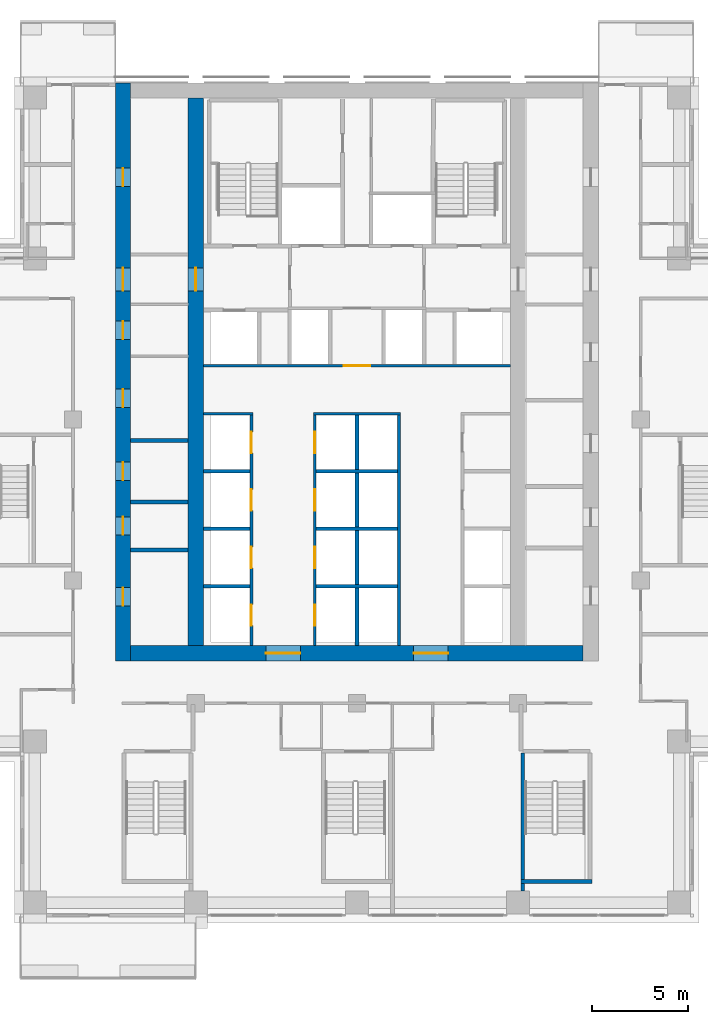
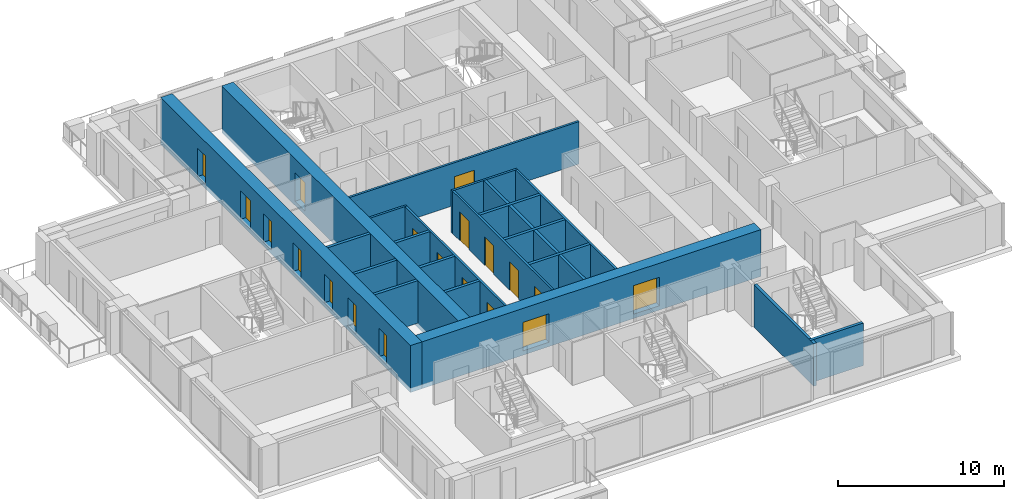
# One storey, part 8 of 17: 21 walls, 19 doors, 19 openings.
"""IFC4 building model written with IfcOpenShell, lengths in metres."""

from ifc_helpers import new_model, si_unit, direction, frame, frame_2d, origin, place, context, subcontext, project, spatial, rectangle, extrude, material, layer, layer_set, type_object, element, fill, save


model = new_model("IFC4")

# Units and contexts
model_context = context("Model", 3, precision=1e-05, world=origin(), true_north=direction((0.0, 1.0)))
body_context = subcontext(model_context, "Body", "Model", "MODEL_VIEW")
ifc_project = project(units=[si_unit("LENGTHUNIT", "METRE"), si_unit("AREAUNIT", "SQUARE_METRE"), si_unit("VOLUMEUNIT", "CUBIC_METRE"), si_unit("PLANEANGLEUNIT", "RADIAN"), si_unit("MASSUNIT", "GRAM", prefix="KILO")], contexts=[model_context])

# Site, building, storey
site_placement = place(None, origin())
site = spatial("IfcSite", under=ifc_project, at=site_placement, CompositionType="ELEMENT")
building_placement = place(site_placement, origin())
building = spatial("IfcBuilding", under=site, at=building_placement, Name="Vermilion Ogive Tower", CompositionType="ELEMENT")
storey_placement = place(building_placement, frame((0.0, 0.0, 83.85009765625)))
storey = spatial("IfcBuildingStorey", under=building, at=storey_placement, Name="L20", CompositionType="ELEMENT", Elevation=83.85009765625)

# Wall, openings, doors
ifc_material_1 = material(Name="Concrete B80", Category="concrete")
ifc_layer_1 = layer(ifc_material_1, 0.800048828125)
ifc_layer_set_1 = layer_set([ifc_layer_1], Name="Core wall 800 B80")
wall_type_1 = type_object("IfcWallType", Name="Core wall 800 B80", PredefinedType="SHEAR", material=ifc_layer_set_1)
wall_1_placement = place(storey_placement, frame((-12.199951171875, -8.39990234375, -0.320068359375), z_axis=(0.0, 0.0, 1.0), x_axis=(0.0, 1.0, 0.0)))
wall_1 = element("IfcWall", 1, at=wall_1_placement, inside=storey, type_object=wall_type_1, Name="L20-CORE-W", PredefinedType="SHEAR", context=body_context, shape_type="SweptSolid", body=[
    extrude(rectangle(XDim=30.14990234375, YDim=0.800048828125, at=frame_2d((15.074951171875, 0.0))), origin(), (0.0, 0.0, 1.0), 3.449951171875),
])
opening_1_placement = place(wall_1_placement, frame((2.875, 0.0, 0.320068359375)))
opening_1 = element("IfcOpeningElement", 2, at=opening_1_placement, cuts=wall_1, Name="Opening DAD034", PredefinedType="OPENING", context=body_context, shape_type="SweptSolid", body=[
    extrude(rectangle(XDim=0.949951171875, YDim=2.10009765625, at=frame_2d((0.47509765625, 1.050048828125))), frame((0.0, 0.409912109375, 0.0), z_axis=(0.0, -1.0, 0.0), x_axis=(1.0, 0.0, 0.0)), (0.0, 0.0, 1.0), 0.820068359375),
])
opening_2_placement = place(wall_1_placement, frame((6.574951171875, 0.0, 0.320068359375)))
opening_2 = element("IfcOpeningElement", 3, at=opening_2_placement, cuts=wall_1, Name="Opening DAD035", PredefinedType="OPENING", context=body_context, shape_type="SweptSolid", body=[
    extrude(rectangle(XDim=0.949951171875, YDim=2.10009765625, at=frame_2d((0.47509765625, 1.050048828125))), frame((0.0, 0.409912109375, 0.0), z_axis=(0.0, -1.0, 0.0), x_axis=(1.0, 0.0, 0.0)), (0.0, 0.0, 1.0), 0.820068359375),
])
opening_3_placement = place(wall_1_placement, frame((9.425048828125, 0.0, 0.320068359375)))
opening_3 = element("IfcOpeningElement", 4, at=opening_3_placement, cuts=wall_1, Name="Opening DAD036", PredefinedType="OPENING", context=body_context, shape_type="SweptSolid", body=[
    extrude(rectangle(XDim=0.949951171875, YDim=2.10009765625, at=frame_2d((0.47509765625, 1.050048828125))), frame((0.0, 0.409912109375, 0.0), z_axis=(0.0, -1.0, 0.0), x_axis=(1.0, 0.0, 0.0)), (0.0, 0.0, 1.0), 0.820068359375),
])
opening_4_placement = place(wall_1_placement, frame((13.22509765625, 0.0, 0.320068359375)))
opening_4 = element("IfcOpeningElement", 5, at=opening_4_placement, cuts=wall_1, Name="Opening DAD037", PredefinedType="OPENING", context=body_context, shape_type="SweptSolid", body=[
    extrude(rectangle(XDim=0.949951171875, YDim=2.10009765625, at=frame_2d((0.47509765625, 1.050048828125))), frame((0.0, 0.409912109375, 0.0), z_axis=(0.0, -1.0, 0.0), x_axis=(1.0, 0.0, 0.0)), (0.0, 0.0, 1.0), 0.820068359375),
])
opening_5_placement = place(wall_1_placement, frame((16.77490234375, 0.0, 0.320068359375)))
opening_5 = element("IfcOpeningElement", 6, at=opening_5_placement, cuts=wall_1, Name="Opening DAD038", PredefinedType="OPENING", context=body_context, shape_type="SweptSolid", body=[
    extrude(rectangle(XDim=0.949951171875, YDim=2.10009765625, at=frame_2d((0.47509765625, 1.050048828125))), frame((0.0, 0.409912109375, 0.0), z_axis=(0.0, -1.0, 0.0), x_axis=(1.0, 0.0, 0.0)), (0.0, 0.0, 1.0), 0.820068359375),
])
opening_6_placement = place(wall_1_placement, frame((24.75, 0.0, 0.320068359375)))
opening_6 = element("IfcOpeningElement", 7, at=opening_6_placement, cuts=wall_1, Name="Opening DAD039", PredefinedType="OPENING", context=body_context, shape_type="SweptSolid", body=[
    extrude(rectangle(XDim=0.949951171875, YDim=2.10009765625, at=frame_2d((0.47509765625, 1.050048828125))), frame((0.0, 0.409912109375, 0.0), z_axis=(0.0, -1.0, 0.0), x_axis=(1.0, 0.0, 0.0)), (0.0, 0.0, 1.0), 0.820068359375),
])
opening_7_placement = place(wall_1_placement, frame((19.300048828125, 0.0, 0.320068359375)))
opening_7 = element("IfcOpeningElement", 8, at=opening_7_placement, cuts=wall_1, Name="Opening DAM007", PredefinedType="OPENING", context=body_context, shape_type="SweptSolid", body=[
    extrude(rectangle(XDim=1.199951171875, YDim=2.10009765625, at=frame_2d((0.60009765625, 1.050048828125))), frame((0.0, 0.409912109375, 0.0), z_axis=(0.0, -1.0, 0.0), x_axis=(1.0, 0.0, 0.0)), (0.0, 0.0, 1.0), 0.820068359375),
])
ifc_material_2 = material(Name="Timber door leaf", Category="wood")
door_type_1 = type_object("IfcDoorType", Name="Link door 1200 x 2100 FD60S", OperationType="SINGLE_SWING_LEFT", PredefinedType="DOOR", material=ifc_material_2)
door_1_placement = place(opening_7_placement, origin())
door_1 = element("IfcDoor", 9, at=door_1_placement, inside=storey, type_object=door_type_1, Name="L20-CKW-XL", OperationType="SINGLE_SWING_LEFT", OverallHeight=2.10009765625, OverallWidth=1.199951171875, PredefinedType="DOOR", context=body_context, shape_type="SweptSolid", body=[
    extrude(rectangle(XDim=1.199951171875, YDim=2.10009765625, at=frame_2d((0.60009765625, 1.050048828125))), frame((0.0, 0.02490234375, 0.0), z_axis=(0.0, -1.0, 0.0), x_axis=(1.0, 0.0, 0.0)), (0.0, 0.0, 1.0), 0.050048828125),
])
fill(opening_7, door_1)
ifc_material_3 = material(Name="Timber door leaf", Category="wood")
door_type_2 = type_object("IfcDoorType", Name="Service door 950 x 2100 FD60", OperationType="SINGLE_SWING_LEFT", PredefinedType="DOOR", material=ifc_material_3)
door_2_placement = place(opening_1_placement, origin())
door_2 = element("IfcDoor", 10, at=door_2_placement, inside=storey, type_object=door_type_2, Name="L20-CKW-XR0", OperationType="SINGLE_SWING_LEFT", OverallHeight=2.10009765625, OverallWidth=0.949951171875, PredefinedType="DOOR", context=body_context, shape_type="SweptSolid", body=[
    extrude(rectangle(XDim=0.949951171875, YDim=2.10009765625, at=frame_2d((0.47509765625, 1.050048828125))), frame((0.0, 0.02490234375, 0.0), z_axis=(0.0, -1.0, 0.0), x_axis=(1.0, 0.0, 0.0)), (0.0, 0.0, 1.0), 0.050048828125),
])
fill(opening_1, door_2)
door_3_placement = place(opening_2_placement, origin())
door_3 = element("IfcDoor", 11, at=door_3_placement, inside=storey, type_object=door_type_2, Name="L20-CKW-XR1", OperationType="SINGLE_SWING_LEFT", OverallHeight=2.10009765625, OverallWidth=0.949951171875, PredefinedType="DOOR", context=body_context, shape_type="SweptSolid", body=[
    extrude(rectangle(XDim=0.949951171875, YDim=2.10009765625, at=frame_2d((0.47509765625, 1.050048828125))), frame((0.0, 0.02490234375, 0.0), z_axis=(0.0, -1.0, 0.0), x_axis=(1.0, 0.0, 0.0)), (0.0, 0.0, 1.0), 0.050048828125),
])
fill(opening_2, door_3)
door_4_placement = place(opening_3_placement, origin())
door_4 = element("IfcDoor", 12, at=door_4_placement, inside=storey, type_object=door_type_2, Name="L20-CKW-XR2", OperationType="SINGLE_SWING_LEFT", OverallHeight=2.10009765625, OverallWidth=0.949951171875, PredefinedType="DOOR", context=body_context, shape_type="SweptSolid", body=[
    extrude(rectangle(XDim=0.949951171875, YDim=2.10009765625, at=frame_2d((0.47509765625, 1.050048828125))), frame((0.0, 0.02490234375, 0.0), z_axis=(0.0, -1.0, 0.0), x_axis=(1.0, 0.0, 0.0)), (0.0, 0.0, 1.0), 0.050048828125),
])
fill(opening_3, door_4)
door_5_placement = place(opening_4_placement, origin())
door_5 = element("IfcDoor", 13, at=door_5_placement, inside=storey, type_object=door_type_2, Name="L20-CKW-XR3", OperationType="SINGLE_SWING_LEFT", OverallHeight=2.10009765625, OverallWidth=0.949951171875, PredefinedType="DOOR", context=body_context, shape_type="SweptSolid", body=[
    extrude(rectangle(XDim=0.949951171875, YDim=2.10009765625, at=frame_2d((0.47509765625, 1.050048828125))), frame((0.0, 0.02490234375, 0.0), z_axis=(0.0, -1.0, 0.0), x_axis=(1.0, 0.0, 0.0)), (0.0, 0.0, 1.0), 0.050048828125),
])
fill(opening_4, door_5)
door_6_placement = place(opening_5_placement, origin())
door_6 = element("IfcDoor", 14, at=door_6_placement, inside=storey, type_object=door_type_2, Name="L20-CKW-XR4", OperationType="SINGLE_SWING_LEFT", OverallHeight=2.10009765625, OverallWidth=0.949951171875, PredefinedType="DOOR", context=body_context, shape_type="SweptSolid", body=[
    extrude(rectangle(XDim=0.949951171875, YDim=2.10009765625, at=frame_2d((0.47509765625, 1.050048828125))), frame((0.0, 0.02490234375, 0.0), z_axis=(0.0, -1.0, 0.0), x_axis=(1.0, 0.0, 0.0)), (0.0, 0.0, 1.0), 0.050048828125),
])
fill(opening_5, door_6)
door_7_placement = place(opening_6_placement, origin())
door_7 = element("IfcDoor", 15, at=door_7_placement, inside=storey, type_object=door_type_2, Name="L20-CKW-XR5", OperationType="SINGLE_SWING_LEFT", OverallHeight=2.10009765625, OverallWidth=0.949951171875, PredefinedType="DOOR", context=body_context, shape_type="SweptSolid", body=[
    extrude(rectangle(XDim=0.949951171875, YDim=2.10009765625, at=frame_2d((0.47509765625, 1.050048828125))), frame((0.0, 0.02490234375, 0.0), z_axis=(0.0, -1.0, 0.0), x_axis=(1.0, 0.0, 0.0)), (0.0, 0.0, 1.0), 0.050048828125),
])
fill(opening_6, door_7)

wall_2_placement = place(storey_placement, frame((-11.800048828125, -8.0, -0.320068359375), z_axis=(0.0, 0.0, 1.0), x_axis=(1.0, 0.0, 0.0)))
wall_2 = element("IfcWall", 16, at=wall_2_placement, inside=storey, type_object=wall_type_1, Name="L20-CORE-S", PredefinedType="SHEAR", context=body_context, shape_type="SweptSolid", body=[
    extrude(rectangle(XDim=23.60009765625, YDim=0.800048828125, at=frame_2d((11.800048828125, 0.0))), origin(), (0.0, 0.0, 1.0), 3.449951171875),
])
opening_8_placement = place(wall_2_placement, frame((7.050048828125, 0.0, 0.320068359375)))
opening_8 = element("IfcOpeningElement", 17, at=opening_8_placement, cuts=wall_2, Name="Opening DAH013", PredefinedType="OPENING", context=body_context, shape_type="SweptSolid", body=[
    extrude(rectangle(XDim=1.800048828125, YDim=2.10009765625, at=frame_2d((0.89990234375, 1.050048828125))), frame((0.0, 0.409912109375, 0.0), z_axis=(0.0, -1.0, 0.0), x_axis=(1.0, 0.0, 0.0)), (0.0, 0.0, 1.0), 0.820068359375),
])
opening_9_placement = place(wall_2_placement, frame((14.75, 0.0, 0.320068359375)))
opening_9 = element("IfcOpeningElement", 18, at=opening_9_placement, cuts=wall_2, Name="Opening DAH014", PredefinedType="OPENING", context=body_context, shape_type="SweptSolid", body=[
    extrude(rectangle(XDim=1.800048828125, YDim=2.10009765625, at=frame_2d((0.89990234375, 1.050048828125))), frame((0.0, 0.409912109375, 0.0), z_axis=(0.0, -1.0, 0.0), x_axis=(1.0, 0.0, 0.0)), (0.0, 0.0, 1.0), 0.820068359375),
])
ifc_material_4 = material(Name="Timber door leaf", Category="wood")
door_type_3 = type_object("IfcDoorType", Name="Core entry door 1800 x 2100 FD60S", OperationType="DOUBLE_DOOR_SINGLE_SWING", PredefinedType="DOOR", material=ifc_material_4)
door_8_placement = place(opening_8_placement, origin())
door_8 = element("IfcDoor", 19, at=door_8_placement, inside=storey, type_object=door_type_3, Name="L20-CK-XD1", OperationType="SINGLE_SWING_LEFT", OverallHeight=2.10009765625, OverallWidth=1.800048828125, PredefinedType="DOOR", context=body_context, shape_type="SweptSolid", body=[
    extrude(rectangle(XDim=1.800048828125, YDim=2.10009765625, at=frame_2d((0.89990234375, 1.050048828125))), frame((0.0, 0.02490234375, 0.0), z_axis=(0.0, -1.0, 0.0), x_axis=(1.0, 0.0, 0.0)), (0.0, 0.0, 1.0), 0.050048828125),
])
fill(opening_8, door_8)
door_9_placement = place(opening_9_placement, origin())
door_9 = element("IfcDoor", 20, at=door_9_placement, inside=storey, type_object=door_type_3, Name="L20-CK-XD2", OperationType="SINGLE_SWING_LEFT", OverallHeight=2.10009765625, OverallWidth=1.800048828125, PredefinedType="DOOR", context=body_context, shape_type="SweptSolid", body=[
    extrude(rectangle(XDim=1.800048828125, YDim=2.10009765625, at=frame_2d((0.89990234375, 1.050048828125))), frame((0.0, 0.02490234375, 0.0), z_axis=(0.0, -1.0, 0.0), x_axis=(1.0, 0.0, 0.0)), (0.0, 0.0, 1.0), 0.050048828125),
])
fill(opening_9, door_9)

# Wall, opening, door
wall_3_placement = place(storey_placement, frame((-8.39990234375, -7.60009765625, -0.320068359375), z_axis=(0.0, 0.0, 1.0), x_axis=(0.0, 1.0, 0.0)))
wall_3 = element("IfcWall", 21, at=wall_3_placement, inside=storey, type_object=wall_type_1, Name="L20-CORE-WEB1", PredefinedType="SHEAR", context=body_context, shape_type="SweptSolid", body=[
    extrude(rectangle(XDim=28.550048828125, YDim=0.800048828125, at=frame_2d((14.27490234375, 0.0))), origin(), (0.0, 0.0, 1.0), 3.449951171875),
])
opening_10_placement = place(wall_3_placement, frame((18.5, 0.0, 0.320068359375)))
opening_10 = element("IfcOpeningElement", 22, at=opening_10_placement, cuts=wall_3, Name="Opening DAP007", PredefinedType="OPENING", context=body_context, shape_type="SweptSolid", body=[
    extrude(rectangle(XDim=1.199951171875, YDim=2.10009765625, at=frame_2d((0.60009765625, 1.050048828125))), frame((0.0, 0.409912109375, 0.0), z_axis=(0.0, -1.0, 0.0), x_axis=(1.0, 0.0, 0.0)), (0.0, 0.0, 1.0), 0.820068359375),
])
door_10_placement = place(opening_10_placement, origin())
door_10 = element("IfcDoor", 23, at=door_10_placement, inside=storey, type_object=door_type_1, Name="L20-CKW-XW", OperationType="SINGLE_SWING_LEFT", OverallHeight=2.10009765625, OverallWidth=1.199951171875, PredefinedType="DOOR", context=body_context, shape_type="SweptSolid", body=[
    extrude(rectangle(XDim=1.199951171875, YDim=2.10009765625, at=frame_2d((0.60009765625, 1.050048828125))), frame((0.0, 0.02490234375, 0.0), z_axis=(0.0, -1.0, 0.0), x_axis=(1.0, 0.0, 0.0)), (0.0, 0.0, 1.0), 0.050048828125),
])
fill(opening_10, door_10)

# Walls
ifc_material_5 = material(Name="Gypsum board partition on steel studs", Category="steel")
ifc_layer_2 = layer(ifc_material_5, 0.14990234375)
ifc_layer_set_2 = layer_set([ifc_layer_2], Name="Partition 150 corridor")
wall_type_2 = type_object("IfcWallType", Name="Partition 150 corridor", PredefinedType="PARTITIONING", material=ifc_layer_set_2)
wall_4_placement = place(storey_placement, frame((-7.9990234375, 4.5, 0.0), z_axis=(0.0, 0.0, 1.0), x_axis=(1.0, 0.0, 0.0)))
element("IfcWall", 24, at=wall_4_placement, inside=storey, type_object=wall_type_2, Name="L20-CK-W-W010", PredefinedType="PARTITIONING", context=body_context, shape_type="SweptSolid", body=[
    extrude(rectangle(XDim=2.573974609375, YDim=0.14990234375, at=frame_2d((1.287109375, 0.0))), origin(), (0.0, 0.0, 1.0), 3.1298828125),
])
wall_5_placement = place(storey_placement, frame((-2.27490234375, 4.5, 0.0), z_axis=(0.0, 0.0, 1.0), x_axis=(1.0, 0.0, 0.0)))
element("IfcWall", 25, at=wall_5_placement, inside=storey, type_object=wall_type_2, Name="L20-CK-W-W011", PredefinedType="PARTITIONING", context=body_context, shape_type="SweptSolid", body=[
    extrude(rectangle(XDim=4.5498046875, YDim=0.14990234375, at=frame_2d((2.27490234375, 0.0))), origin(), (0.0, 0.0, 1.0), 3.1298828125),
])

# Wall, opening, door
wall_6_placement = place(storey_placement, frame((-7.9990234375, 7.0, 0.0), z_axis=(0.0, 0.0, 1.0), x_axis=(1.0, 0.0, 0.0)))
wall_6 = element("IfcWall", 26, at=wall_6_placement, inside=storey, type_object=wall_type_2, Name="L20-CK-W-W013", PredefinedType="PARTITIONING", context=body_context, shape_type="SweptSolid", body=[
    extrude(rectangle(XDim=15.998046875, YDim=0.14990234375, at=frame_2d((7.9990234375, 0.0))), origin(), (0.0, 0.0, 1.0), 3.1298828125),
])
opening_11_placement = place(wall_6_placement, frame((7.299072265625, 0.0, 0.0)))
opening_11 = element("IfcOpeningElement", 27, at=opening_11_placement, cuts=wall_6, Name="Opening DAA140", PredefinedType="OPENING", context=body_context, shape_type="SweptSolid", body=[
    extrude(rectangle(XDim=1.39990234375, YDim=2.10009765625, at=frame_2d((0.699951171875, 1.050048828125))), frame((0.0, 0.0849609375, 0.0), z_axis=(0.0, -1.0, 0.0), x_axis=(1.0, 0.0, 0.0)), (0.0, 0.0, 1.0), 0.169921875),
])
ifc_material_6 = material(Name="Timber door leaf", Category="wood")
door_type_4 = type_object("IfcDoorType", Name="Lobby door 1400 x 2100 FD60S", OperationType="SINGLE_SWING_LEFT", PredefinedType="DOOR", material=ifc_material_6)
door_11_placement = place(opening_11_placement, origin())
door_11 = element("IfcDoor", 28, at=door_11_placement, inside=storey, type_object=door_type_4, Name="L20-CK-D-D015", OperationType="SINGLE_SWING_RIGHT", OverallHeight=2.10009765625, OverallWidth=1.39990234375, PredefinedType="DOOR", context=body_context, shape_type="SweptSolid", body=[
    extrude(rectangle(XDim=1.39990234375, YDim=2.10009765625, at=frame_2d((0.699951171875, 1.050048828125))), frame((0.0, 0.02490234375, 0.0), z_axis=(0.0, -1.0, 0.0), x_axis=(1.0, 0.0, 0.0)), (0.0, 0.0, 1.0), 0.050048828125),
])
fill(opening_11, door_11)

# Wall, openings, doors
wall_7_placement = place(storey_placement, frame((-5.5, -7.59912109375, 0.0), z_axis=(0.0, 0.0, 1.0), x_axis=(0.0, 1.0, 0.0)))
wall_7 = element("IfcWall", 29, at=wall_7_placement, inside=storey, type_object=wall_type_2, Name="L20-CK-W-W022", PredefinedType="PARTITIONING", context=body_context, shape_type="SweptSolid", body=[
    extrude(rectangle(XDim=12.024169921875, YDim=0.14990234375, at=frame_2d((6.01220703125, 0.0))), origin(), (0.0, 0.0, 1.0), 3.1298828125),
])
opening_12_placement = place(wall_7_placement, frame((1.049072265625, 0.0, 0.0)))
opening_12 = element("IfcOpeningElement", 30, at=opening_12_placement, cuts=wall_7, Name="Opening DAA149", PredefinedType="OPENING", context=body_context, shape_type="SweptSolid", body=[
    extrude(rectangle(XDim=1.10009765625, YDim=2.10009765625, at=frame_2d((0.550048828125, 1.050048828125))), frame((0.0, 0.0849609375, 0.0), z_axis=(0.0, -1.0, 0.0), x_axis=(1.0, 0.0, 0.0)), (0.0, 0.0, 1.0), 0.169921875),
])
opening_13_placement = place(wall_7_placement, frame((4.049072265625, 0.0, 0.0)))
opening_13 = element("IfcOpeningElement", 31, at=opening_13_placement, cuts=wall_7, Name="Opening DAA152", PredefinedType="OPENING", context=body_context, shape_type="SweptSolid", body=[
    extrude(rectangle(XDim=1.10009765625, YDim=2.10009765625, at=frame_2d((0.550048828125, 1.050048828125))), frame((0.0, 0.0849609375, 0.0), z_axis=(0.0, -1.0, 0.0), x_axis=(1.0, 0.0, 0.0)), (0.0, 0.0, 1.0), 0.169921875),
])
opening_14_placement = place(wall_7_placement, frame((7.049072265625, 0.0, 0.0)))
opening_14 = element("IfcOpeningElement", 32, at=opening_14_placement, cuts=wall_7, Name="Opening DAA153", PredefinedType="OPENING", context=body_context, shape_type="SweptSolid", body=[
    extrude(rectangle(XDim=1.10009765625, YDim=2.10009765625, at=frame_2d((0.550048828125, 1.050048828125))), frame((0.0, 0.0849609375, 0.0), z_axis=(0.0, -1.0, 0.0), x_axis=(1.0, 0.0, 0.0)), (0.0, 0.0, 1.0), 0.169921875),
])
opening_15_placement = place(wall_7_placement, frame((10.049072265625, 0.0, 0.0)))
opening_15 = element("IfcOpeningElement", 33, at=opening_15_placement, cuts=wall_7, Name="Opening DAA154", PredefinedType="OPENING", context=body_context, shape_type="SweptSolid", body=[
    extrude(rectangle(XDim=1.10009765625, YDim=2.10009765625, at=frame_2d((0.550048828125, 1.050048828125))), frame((0.0, 0.0849609375, 0.0), z_axis=(0.0, -1.0, 0.0), x_axis=(1.0, 0.0, 0.0)), (0.0, 0.0, 1.0), 0.169921875),
])
ifc_material_7 = material(Name="Stainless steel", Category="steel")
door_type_5 = type_object("IfcDoorType", Name="Lift landing door 1100 x 2100", OperationType="SLIDING_TO_LEFT", PredefinedType="DOOR", material=ifc_material_7)
door_12_placement = place(opening_12_placement, origin())
door_12 = element("IfcDoor", 34, at=door_12_placement, inside=storey, type_object=door_type_5, Name="L20-CK-D-D001", OperationType="SLIDING_TO_LEFT", OverallHeight=2.10009765625, OverallWidth=1.10009765625, PredefinedType="DOOR", context=body_context, shape_type="SweptSolid", body=[
    extrude(rectangle(XDim=1.10009765625, YDim=2.10009765625, at=frame_2d((0.550048828125, 1.050048828125))), frame((0.0, 0.02490234375, 0.0), z_axis=(0.0, -1.0, 0.0), x_axis=(1.0, 0.0, 0.0)), (0.0, 0.0, 1.0), 0.050048828125),
])
fill(opening_12, door_12)
door_13_placement = place(opening_13_placement, origin())
door_13 = element("IfcDoor", 35, at=door_13_placement, inside=storey, type_object=door_type_5, Name="L20-CK-D-D002", OperationType="SLIDING_TO_LEFT", OverallHeight=2.10009765625, OverallWidth=1.10009765625, PredefinedType="DOOR", context=body_context, shape_type="SweptSolid", body=[
    extrude(rectangle(XDim=1.10009765625, YDim=2.10009765625, at=frame_2d((0.550048828125, 1.050048828125))), frame((0.0, 0.02490234375, 0.0), z_axis=(0.0, -1.0, 0.0), x_axis=(1.0, 0.0, 0.0)), (0.0, 0.0, 1.0), 0.050048828125),
])
fill(opening_13, door_13)
door_14_placement = place(opening_14_placement, origin())
door_14 = element("IfcDoor", 36, at=door_14_placement, inside=storey, type_object=door_type_5, Name="L20-CK-D-D003", OperationType="SLIDING_TO_LEFT", OverallHeight=2.10009765625, OverallWidth=1.10009765625, PredefinedType="DOOR", context=body_context, shape_type="SweptSolid", body=[
    extrude(rectangle(XDim=1.10009765625, YDim=2.10009765625, at=frame_2d((0.550048828125, 1.050048828125))), frame((0.0, 0.02490234375, 0.0), z_axis=(0.0, -1.0, 0.0), x_axis=(1.0, 0.0, 0.0)), (0.0, 0.0, 1.0), 0.050048828125),
])
fill(opening_14, door_14)
door_15_placement = place(opening_15_placement, origin())
door_15 = element("IfcDoor", 37, at=door_15_placement, inside=storey, type_object=door_type_5, Name="L20-CK-D-D004", OperationType="SLIDING_TO_LEFT", OverallHeight=2.10009765625, OverallWidth=1.10009765625, PredefinedType="DOOR", context=body_context, shape_type="SweptSolid", body=[
    extrude(rectangle(XDim=1.10009765625, YDim=2.10009765625, at=frame_2d((0.550048828125, 1.050048828125))), frame((0.0, 0.02490234375, 0.0), z_axis=(0.0, -1.0, 0.0), x_axis=(1.0, 0.0, 0.0)), (0.0, 0.0, 1.0), 0.050048828125),
])
fill(opening_15, door_15)

wall_8_placement = place(storey_placement, frame((-2.199951171875, -7.59912109375, 0.0), z_axis=(0.0, 0.0, 1.0), x_axis=(0.0, 1.0, 0.0)))
wall_8 = element("IfcWall", 38, at=wall_8_placement, inside=storey, type_object=wall_type_2, Name="L20-CK-W-W027", PredefinedType="PARTITIONING", context=body_context, shape_type="SweptSolid", body=[
    extrude(rectangle(XDim=12.024169921875, YDim=0.14990234375, at=frame_2d((6.01220703125, 0.0))), origin(), (0.0, 0.0, 1.0), 3.1298828125),
])
opening_16_placement = place(wall_8_placement, frame((1.049072265625, 0.0, 0.0)))
opening_16 = element("IfcOpeningElement", 39, at=opening_16_placement, cuts=wall_8, Name="Opening DAA155", PredefinedType="OPENING", context=body_context, shape_type="SweptSolid", body=[
    extrude(rectangle(XDim=1.10009765625, YDim=2.10009765625, at=frame_2d((0.550048828125, 1.050048828125))), frame((0.0, 0.0849609375, 0.0), z_axis=(0.0, -1.0, 0.0), x_axis=(1.0, 0.0, 0.0)), (0.0, 0.0, 1.0), 0.169921875),
])
opening_17_placement = place(wall_8_placement, frame((4.049072265625, 0.0, 0.0)))
opening_17 = element("IfcOpeningElement", 40, at=opening_17_placement, cuts=wall_8, Name="Opening DAA156", PredefinedType="OPENING", context=body_context, shape_type="SweptSolid", body=[
    extrude(rectangle(XDim=1.10009765625, YDim=2.10009765625, at=frame_2d((0.550048828125, 1.050048828125))), frame((0.0, 0.0849609375, 0.0), z_axis=(0.0, -1.0, 0.0), x_axis=(1.0, 0.0, 0.0)), (0.0, 0.0, 1.0), 0.169921875),
])
opening_18_placement = place(wall_8_placement, frame((7.049072265625, 0.0, 0.0)))
opening_18 = element("IfcOpeningElement", 41, at=opening_18_placement, cuts=wall_8, Name="Opening DAA157", PredefinedType="OPENING", context=body_context, shape_type="SweptSolid", body=[
    extrude(rectangle(XDim=1.10009765625, YDim=2.10009765625, at=frame_2d((0.550048828125, 1.050048828125))), frame((0.0, 0.0849609375, 0.0), z_axis=(0.0, -1.0, 0.0), x_axis=(1.0, 0.0, 0.0)), (0.0, 0.0, 1.0), 0.169921875),
])
opening_19_placement = place(wall_8_placement, frame((10.049072265625, 0.0, 0.0)))
opening_19 = element("IfcOpeningElement", 42, at=opening_19_placement, cuts=wall_8, Name="Opening DAA158", PredefinedType="OPENING", context=body_context, shape_type="SweptSolid", body=[
    extrude(rectangle(XDim=1.10009765625, YDim=2.10009765625, at=frame_2d((0.550048828125, 1.050048828125))), frame((0.0, 0.0849609375, 0.0), z_axis=(0.0, -1.0, 0.0), x_axis=(1.0, 0.0, 0.0)), (0.0, 0.0, 1.0), 0.169921875),
])
door_16_placement = place(opening_16_placement, origin())
door_16 = element("IfcDoor", 43, at=door_16_placement, inside=storey, type_object=door_type_5, Name="L20-CK-D-D005", OperationType="SLIDING_TO_LEFT", OverallHeight=2.10009765625, OverallWidth=1.10009765625, PredefinedType="DOOR", context=body_context, shape_type="SweptSolid", body=[
    extrude(rectangle(XDim=1.10009765625, YDim=2.10009765625, at=frame_2d((0.550048828125, 1.050048828125))), frame((0.0, 0.02490234375, 0.0), z_axis=(0.0, -1.0, 0.0), x_axis=(1.0, 0.0, 0.0)), (0.0, 0.0, 1.0), 0.050048828125),
])
fill(opening_16, door_16)
door_17_placement = place(opening_17_placement, origin())
door_17 = element("IfcDoor", 44, at=door_17_placement, inside=storey, type_object=door_type_5, Name="L20-CK-D-D006", OperationType="SLIDING_TO_LEFT", OverallHeight=2.10009765625, OverallWidth=1.10009765625, PredefinedType="DOOR", context=body_context, shape_type="SweptSolid", body=[
    extrude(rectangle(XDim=1.10009765625, YDim=2.10009765625, at=frame_2d((0.550048828125, 1.050048828125))), frame((0.0, 0.02490234375, 0.0), z_axis=(0.0, -1.0, 0.0), x_axis=(1.0, 0.0, 0.0)), (0.0, 0.0, 1.0), 0.050048828125),
])
fill(opening_17, door_17)
door_18_placement = place(opening_18_placement, origin())
door_18 = element("IfcDoor", 45, at=door_18_placement, inside=storey, type_object=door_type_5, Name="L20-CK-D-D007", OperationType="SLIDING_TO_LEFT", OverallHeight=2.10009765625, OverallWidth=1.10009765625, PredefinedType="DOOR", context=body_context, shape_type="SweptSolid", body=[
    extrude(rectangle(XDim=1.10009765625, YDim=2.10009765625, at=frame_2d((0.550048828125, 1.050048828125))), frame((0.0, 0.02490234375, 0.0), z_axis=(0.0, -1.0, 0.0), x_axis=(1.0, 0.0, 0.0)), (0.0, 0.0, 1.0), 0.050048828125),
])
fill(opening_18, door_18)
door_19_placement = place(opening_19_placement, origin())
door_19 = element("IfcDoor", 46, at=door_19_placement, inside=storey, type_object=door_type_5, Name="L20-CK-D-D008", OperationType="SLIDING_TO_LEFT", OverallHeight=2.10009765625, OverallWidth=1.10009765625, PredefinedType="DOOR", context=body_context, shape_type="SweptSolid", body=[
    extrude(rectangle(XDim=1.10009765625, YDim=2.10009765625, at=frame_2d((0.550048828125, 1.050048828125))), frame((0.0, 0.02490234375, 0.0), z_axis=(0.0, -1.0, 0.0), x_axis=(1.0, 0.0, 0.0)), (0.0, 0.0, 1.0), 0.050048828125),
])
fill(opening_19, door_19)

# Walls
wall_9_placement = place(storey_placement, frame((2.199951171875, -7.59912109375, 0.0), z_axis=(0.0, 0.0, 1.0), x_axis=(0.0, 1.0, 0.0)))
element("IfcWall", 47, at=wall_9_placement, inside=storey, type_object=wall_type_2, Name="L20-CK-W-W034", PredefinedType="PARTITIONING", context=body_context, shape_type="SweptSolid", body=[
    extrude(rectangle(XDim=12.024169921875, YDim=0.14990234375, at=frame_2d((6.01220703125, 0.0))), origin(), (0.0, 0.0, 1.0), 3.1298828125),
])
ifc_material_8 = material(Name="Gypsum board partition on steel studs", Category="steel")
ifc_layer_3 = layer(ifc_material_8, 0.199951171875)
ifc_layer_set_3 = layer_set([ifc_layer_3], Name="Partition 200 party")
wall_type_3 = type_object("IfcWallType", Name="Partition 200 party", PredefinedType="PARTITIONING", material=ifc_layer_set_3)
wall_10_placement = place(storey_placement, frame((-7.9990234375, -4.5, 0.0), z_axis=(0.0, 0.0, 1.0), x_axis=(1.0, 0.0, 0.0)))
element("IfcWall", 48, at=wall_10_placement, inside=storey, type_object=wall_type_3, Name="L20-CK-W-W001", PredefinedType="PARTITIONING", context=body_context, shape_type="SweptSolid", body=[
    extrude(rectangle(XDim=2.424072265625, YDim=0.199951171875, at=frame_2d((1.2119140625, 0.0))), origin(), (0.0, 0.0, 1.0), 3.1298828125),
])
wall_11_placement = place(storey_placement, frame((-2.125, -4.5, 0.0), z_axis=(0.0, 0.0, 1.0), x_axis=(1.0, 0.0, 0.0)))
element("IfcWall", 49, at=wall_11_placement, inside=storey, type_object=wall_type_3, Name="L20-CK-W-W002", PredefinedType="PARTITIONING", context=body_context, shape_type="SweptSolid", body=[
    extrude(rectangle(XDim=4.25, YDim=0.199951171875, at=frame_2d((2.125, 0.0))), origin(), (0.0, 0.0, 1.0), 3.1298828125),
])
wall_12_placement = place(storey_placement, frame((-7.9990234375, -1.5, 0.0), z_axis=(0.0, 0.0, 1.0), x_axis=(1.0, 0.0, 0.0)))
element("IfcWall", 50, at=wall_12_placement, inside=storey, type_object=wall_type_3, Name="L20-CK-W-W004", PredefinedType="PARTITIONING", context=body_context, shape_type="SweptSolid", body=[
    extrude(rectangle(XDim=2.424072265625, YDim=0.199951171875, at=frame_2d((1.2119140625, 0.0))), origin(), (0.0, 0.0, 1.0), 3.1298828125),
])
wall_13_placement = place(storey_placement, frame((-2.125, -1.5, 0.0), z_axis=(0.0, 0.0, 1.0), x_axis=(1.0, 0.0, 0.0)))
element("IfcWall", 51, at=wall_13_placement, inside=storey, type_object=wall_type_3, Name="L20-CK-W-W005", PredefinedType="PARTITIONING", context=body_context, shape_type="SweptSolid", body=[
    extrude(rectangle(XDim=4.25, YDim=0.199951171875, at=frame_2d((2.125, 0.0))), origin(), (0.0, 0.0, 1.0), 3.1298828125),
])
wall_14_placement = place(storey_placement, frame((-7.9990234375, 1.5, 0.0), z_axis=(0.0, 0.0, 1.0), x_axis=(1.0, 0.0, 0.0)))
element("IfcWall", 52, at=wall_14_placement, inside=storey, type_object=wall_type_3, Name="L20-CK-W-W007", PredefinedType="PARTITIONING", context=body_context, shape_type="SweptSolid", body=[
    extrude(rectangle(XDim=2.424072265625, YDim=0.199951171875, at=frame_2d((1.2119140625, 0.0))), origin(), (0.0, 0.0, 1.0), 3.1298828125),
])
wall_15_placement = place(storey_placement, frame((-2.125, 1.5, 0.0), z_axis=(0.0, 0.0, 1.0), x_axis=(1.0, 0.0, 0.0)))
element("IfcWall", 53, at=wall_15_placement, inside=storey, type_object=wall_type_3, Name="L20-CK-W-W008", PredefinedType="PARTITIONING", context=body_context, shape_type="SweptSolid", body=[
    extrude(rectangle(XDim=4.25, YDim=0.199951171875, at=frame_2d((2.125, 0.0))), origin(), (0.0, 0.0, 1.0), 3.1298828125),
])
wall_16_placement = place(storey_placement, frame((0.0, -7.59912109375, 0.0), z_axis=(0.0, 0.0, 1.0), x_axis=(0.0, 1.0, 0.0)))
element("IfcWall", 54, at=wall_16_placement, inside=storey, type_object=wall_type_3, Name="L20-CK-W-W030", PredefinedType="PARTITIONING", context=body_context, shape_type="SweptSolid", body=[
    extrude(rectangle(XDim=12.024169921875, YDim=0.199951171875, at=frame_2d((6.01220703125, 0.0))), origin(), (0.0, 0.0, 1.0), 3.1298828125),
])
for number, where, z_axis, x_axis, name in (
    (55, (-11.799072265625, -2.60009765625, 0.0), (0.0, 0.0, 1.0), (1.0, 0.0, 0.0), "L20-CKW-W-W001"),
    (56, (-11.799072265625, -0.10009765625, 0.0), (0.0, 0.0, 1.0), (1.0, 0.0, 0.0), "L20-CKW-W-W002"),
    (57, (-11.799072265625, 3.10009765625, 0.0), (0.0, 0.0, 1.0), (1.0, 0.0, 0.0), "L20-CKW-W-W003"),
):
    element("IfcWall", number, at=place(storey_placement, frame(where, z_axis=z_axis, x_axis=x_axis)), inside=storey, type_object=wall_type_3, Name=name, PredefinedType="PARTITIONING", context=body_context, shape_type="SweptSolid", body=[
        extrude(rectangle(XDim=2.998046875, YDim=0.199951171875, at=frame_2d((1.4990234375, 0.0))), origin(), (0.0, 0.0, 1.0), 3.1298828125),
    ])
ifc_material_9 = material(Name="Concrete B60", Category="concrete")
ifc_layer_4 = layer(ifc_material_9, 0.199951171875)
ifc_layer_set_4 = layer_set([ifc_layer_4], Name="Stair shaft wall 200 Concrete B60")
wall_type_4 = type_object("IfcWallType", Name="Stair shaft wall 200 Concrete B60", PredefinedType="SOLIDWALL", material=ifc_layer_set_4)
wall_17_placement = place(storey_placement, frame((8.550048828125, -19.89990234375, 0.0), z_axis=(0.0, 0.0, 1.0), x_axis=(1.0, 0.0, 0.0)))
element("IfcWall", 58, at=wall_17_placement, inside=storey, type_object=wall_type_4, Name="L20-SW-ST5-S1", PredefinedType="SOLIDWALL", context=body_context, shape_type="SweptSolid", body=[
    extrude(rectangle(XDim=3.699951171875, YDim=0.199951171875, at=frame_2d((1.85009765625, 0.0))), origin(), (0.0, 0.0, 1.0), 3.1298828125),
])
wall_18_placement = place(storey_placement, frame((8.64990234375, -20.39990234375, 0.0), z_axis=(0.0, 0.0, 1.0), x_axis=(0.0, 1.0, 0.0)))
element("IfcWall", 59, at=wall_18_placement, inside=storey, type_object=wall_type_4, Name="L20-SW-ST5-W1", PredefinedType="SOLIDWALL", context=body_context, shape_type="SweptSolid", body=[
    extrude(rectangle(XDim=7.199951171875, YDim=0.199951171875, at=frame_2d((3.60009765625, 0.0))), origin(), (0.0, 0.0, 1.0), 3.1298828125),
])

save(model, "model.ifc")
